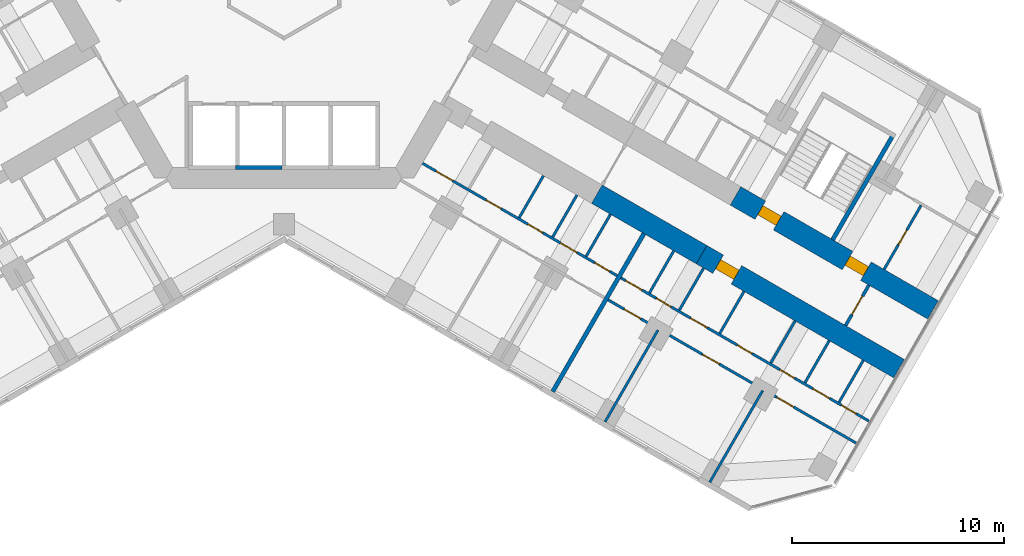
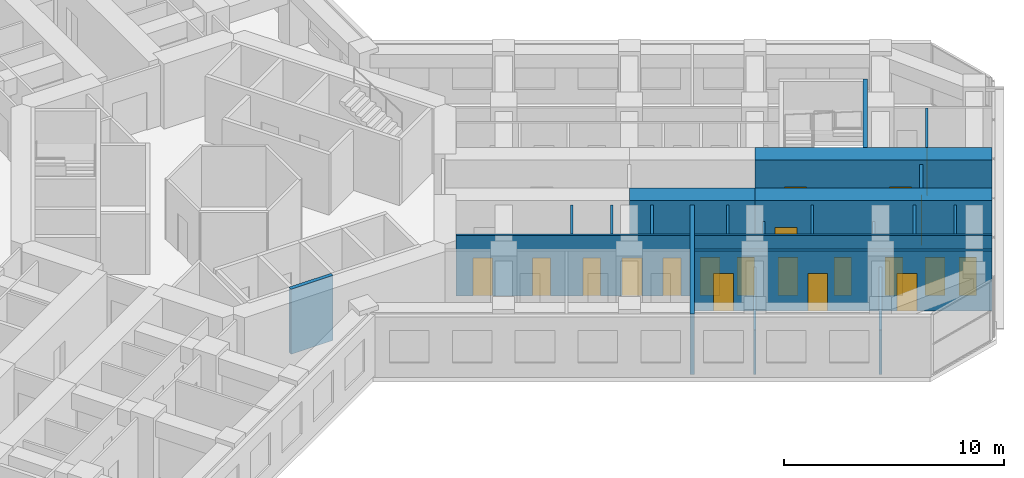
# One storey, part 14 of 21: 22 walls, 20 doors, 20 openings.
"""IFC4 building model written with IfcOpenShell, lengths in metres."""

from ifc_helpers import new_model, si_unit, direction, frame, frame_2d, origin, place, context, subcontext, project, spatial, rectangle, extrude, material, layer, layer_set, type_object, element, fill, save


model = new_model("IFC4")

# Units and contexts
model_context = context("Model", 3, precision=1e-05, world=origin(), true_north=direction((0.0, 1.0)))
body_context = subcontext(model_context, "Body", "Model", "MODEL_VIEW")
ifc_project = project(units=[si_unit("LENGTHUNIT", "METRE"), si_unit("AREAUNIT", "SQUARE_METRE"), si_unit("VOLUMEUNIT", "CUBIC_METRE"), si_unit("PLANEANGLEUNIT", "RADIAN"), si_unit("MASSUNIT", "GRAM", prefix="KILO")], contexts=[model_context])

# Site, building, storey
site_placement = place(None, origin())
site = spatial("IfcSite", under=ifc_project, at=site_placement, CompositionType="ELEMENT")
building_placement = place(site_placement, origin())
building = spatial("IfcBuilding", under=site, at=building_placement, Name="Kosmar Iwan School Tower", CompositionType="ELEMENT")
storey_placement = place(building_placement, frame((0.0, 0.0, 53.800048828125)))
storey = spatial("IfcBuildingStorey", under=building, at=storey_placement, Name="L12", CompositionType="ELEMENT", Elevation=53.800048828125)

# Wall, openings, doors
ifc_material_1 = material(Name="Concrete C50/60", Category="concrete")
ifc_layer_1 = layer(ifc_material_1, 1.0)
ifc_layer_set_1 = layer_set([ifc_layer_1], Name="Corridor buttress wall 1000")
wall_type_1 = type_object("IfcWallType", Name="Corridor buttress wall 1000", PredefinedType="SHEAR", material=ifc_layer_set_1)
wall_1_placement = place(storey_placement, frame((21.281494140625, -10.439453125, 0.0), z_axis=(0.0, 0.0, 1.0), x_axis=(0.866032345022, -0.499987977232, 0.0)))
wall_1 = element("IfcWall", 1, at=wall_1_placement, inside=storey, type_object=wall_type_1, Name="Corridor wall CL bay 3", PredefinedType="SHEAR", context=body_context, shape_type="SweptSolid", body=[
    extrude(rectangle(XDim=10.744873046875, YDim=1.0, at=frame_2d((5.37255859375, 0.0))), origin(), (0.0, 0.0, 1.0), 3.599853515625),
])
opening_1_placement = place(wall_1_placement, frame((6.10009765625, 0.0, 0.0)))
opening_1 = element("IfcOpeningElement", 2, at=opening_1_placement, cuts=wall_1, Name="Opening D1", PredefinedType="OPENING", context=body_context, shape_type="SweptSolid", body=[
    extrude(rectangle(XDim=1.0, YDim=2.10009765625, at=frame_2d((0.5, 1.050048828125))), frame((0.0, 0.511962890625, 0.0), z_axis=(0.0, -1.0, 0.0), x_axis=(1.0, 0.0, 0.0)), (0.0, 0.0, 1.0), 1.02392578125),
])
opening_2_placement = place(wall_1_placement, frame((1.35009765625, 0.0, 0.0)))
opening_2 = element("IfcOpeningElement", 3, at=opening_2_placement, cuts=wall_1, Name="Opening D6", PredefinedType="OPENING", context=body_context, shape_type="SweptSolid", body=[
    extrude(rectangle(XDim=1.0, YDim=2.10009765625, at=frame_2d((0.5, 1.050048828125))), frame((0.0, 0.511962890625, 0.0), z_axis=(0.0, -1.0, 0.0), x_axis=(1.0, 0.0, 0.0)), (0.0, 0.0, 1.0), 1.02392578125),
])
ifc_material_2 = material(Name="Timber fire door in steel frame", Category="steel")
door_type_1 = type_object("IfcDoorType", Name="Flat entrance door 1000x2100", OperationType="SINGLE_SWING_LEFT", PredefinedType="DOOR", material=ifc_material_2)
door_1_placement = place(opening_1_placement, origin())
door_1 = element("IfcDoor", 4, at=door_1_placement, inside=storey, type_object=door_type_1, Name="Flat L12-CL2 entrance door", OperationType="SINGLE_SWING_RIGHT", OverallHeight=2.10009765625, OverallWidth=1.0, PredefinedType="DOOR", context=body_context, shape_type="SweptSolid", body=[
    extrude(rectangle(XDim=1.0, YDim=2.10009765625, at=frame_2d((0.5, 1.050048828125))), frame((0.0, 0.25, 0.0), z_axis=(0.0, -1.0, 0.0), x_axis=(1.0, 0.0, 0.0)), (0.0, 0.0, 1.0), 0.5),
])
fill(opening_1, door_1)
ifc_material_3 = material(Name="Steel fire door", Category="steel")
door_type_2 = type_object("IfcDoorType", Name="Stair door 1000x2100", OperationType="SINGLE_SWING_LEFT", PredefinedType="DOOR", material=ifc_material_3)
door_2_placement = place(opening_2_placement, origin())
door_2 = element("IfcDoor", 5, at=door_2_placement, inside=storey, type_object=door_type_2, Name="Stair WS3 door L12", OperationType="SINGLE_SWING_LEFT", OverallHeight=2.10009765625, OverallWidth=1.0, PredefinedType="DOOR", context=body_context, shape_type="SweptSolid", body=[
    extrude(rectangle(XDim=1.0, YDim=2.10009765625, at=frame_2d((0.5, 1.050048828125))), frame((0.0, 0.25, 0.0), z_axis=(0.0, -1.0, 0.0), x_axis=(1.0, 0.0, 0.0)), (0.0, 0.0, 1.0), 0.5),
])
fill(opening_2, door_2)

# Wall
wall_2_placement = place(storey_placement, frame((14.7451171875, -10.360595703125, 0.0), z_axis=(0.0, 0.0, 1.0), x_axis=(0.866015111908, -0.50001782563, 0.0)))
element("IfcWall", 6, at=wall_2_placement, inside=storey, type_object=wall_type_1, Name="Corridor wall CR bay 2", PredefinedType="SHEAR", context=body_context, shape_type="SweptSolid", body=[
    extrude(rectangle(XDim=5.699951171875, YDim=1.0, at=frame_2d((2.85009765625, 0.0))), origin(), (0.0, 0.0, 1.0), 3.599853515625),
])

# Wall, opening, door
wall_3_placement = place(storey_placement, frame((19.681396484375, -13.210693359375, 0.0), z_axis=(0.0, 0.0, 1.0), x_axis=(0.866028186671, -0.499995179869, 0.0)))
wall_3 = element("IfcWall", 7, at=wall_3_placement, inside=storey, type_object=wall_type_1, Name="Corridor wall CR bay 3", PredefinedType="SHEAR", context=body_context, shape_type="SweptSolid", body=[
    extrude(rectangle(XDim=10.7451171875, YDim=1.0, at=frame_2d((5.37255859375, 0.0))), origin(), (0.0, 0.0, 1.0), 3.599853515625),
])
opening_3_placement = place(wall_3_placement, frame((0.89990234375, 0.0, 0.0)))
opening_3 = element("IfcOpeningElement", 8, at=opening_3_placement, cuts=wall_3, Name="Opening D1", PredefinedType="OPENING", context=body_context, shape_type="SweptSolid", body=[
    extrude(rectangle(XDim=1.0, YDim=2.10009765625, at=frame_2d((0.5, 1.050048828125))), frame((0.0, 0.511962890625, 0.0), z_axis=(0.0, -1.0, 0.0), x_axis=(1.0, 0.0, 0.0)), (0.0, 0.0, 1.0), 1.02392578125),
])
door_3_placement = place(opening_3_placement, origin())
door_3 = element("IfcDoor", 9, at=door_3_placement, inside=storey, type_object=door_type_1, Name="Flat L12-CR2 entrance door", OperationType="SINGLE_SWING_LEFT", OverallHeight=2.10009765625, OverallWidth=1.0, PredefinedType="DOOR", context=body_context, shape_type="SweptSolid", body=[
    extrude(rectangle(XDim=1.0, YDim=2.10009765625, at=frame_2d((0.5, 1.050048828125))), frame((0.0, 0.25, 0.0), z_axis=(0.0, -1.0, 0.0), x_axis=(1.0, 0.0, 0.0)), (0.0, 0.0, 1.0), 0.5),
])
fill(opening_3, door_3)

ifc_material_4 = material(Name="Gypsum board on steel studs, fire-rated", Category="steel")
ifc_layer_2 = layer(ifc_material_4, 0.14990234375)
ifc_layer_set_2 = layer_set([ifc_layer_2], Name="Corridor end wall 150")
wall_type_2 = type_object("IfcWallType", Name="Corridor end wall 150", PredefinedType="PARTITIONING", material=ifc_layer_set_2)
wall_4_placement = place(storey_placement, frame((26.469970703125, -16.552734375, 0.0), z_axis=(0.0, 0.0, 1.0), x_axis=(0.50002983664, 0.866008176907, 0.0)))
wall_4 = element("IfcWall", 10, at=wall_4_placement, inside=storey, type_object=wall_type_2, Name="Partition L12-C-CE", PredefinedType="PARTITIONING", context=body_context, shape_type="SweptSolid", body=[
    extrude(rectangle(XDim=2.199951171875, YDim=0.14990234375, at=frame_2d((1.10009765625, 0.0))), origin(), (0.0, 0.0, 1.0), 3.349853515625),
])
opening_4_placement = place(wall_4_placement, frame((0.60009765625, 0.0, 0.0)))
opening_4 = element("IfcOpeningElement", 11, at=opening_4_placement, cuts=wall_4, Name="Opening D13", PredefinedType="OPENING", context=body_context, shape_type="SweptSolid", body=[
    extrude(rectangle(XDim=1.0, YDim=2.10009765625, at=frame_2d((0.5, 1.050048828125))), frame((0.0, 0.0869140625, 0.0), z_axis=(0.0, -1.0, 0.0), x_axis=(1.0, 0.0, 0.0)), (0.0, 0.0, 1.0), 0.173828125),
])
ifc_material_5 = material(Name="Timber fire door with vision panel", Category="wood")
door_type_3 = type_object("IfcDoorType", Name="Corridor end door 1000x2100", OperationType="SINGLE_SWING_LEFT", PredefinedType="DOOR", material=ifc_material_5)
door_4_placement = place(opening_4_placement, origin())
door_4 = element("IfcDoor", 12, at=door_4_placement, inside=storey, type_object=door_type_3, Name="Laundry and drying room door L12-C", OperationType="SINGLE_SWING_LEFT", OverallHeight=2.10009765625, OverallWidth=1.0, PredefinedType="DOOR", context=body_context, shape_type="SweptSolid", body=[
    extrude(rectangle(XDim=1.0, YDim=2.10009765625, at=frame_2d((0.5, 1.050048828125))), frame((0.0, 0.02490234375, 0.0), z_axis=(0.0, -1.0, 0.0), x_axis=(1.0, 0.0, 0.0)), (0.0, 0.0, 1.0), 0.050048828125),
])
fill(opening_4, door_4)

ifc_material_6 = material(Name="Gypsum board on steel studs", Category="steel")
ifc_layer_3 = layer(ifc_material_6, 0.1201171875)
ifc_layer_set_3 = layer_set([ifc_layer_3], Name="Dwelling partition 120")
wall_type_3 = type_object("IfcWallType", Name="Dwelling partition 120", PredefinedType="PARTITIONING", material=ifc_layer_set_3)
wall_5_placement = place(storey_placement, frame((28.286376953125, -13.90625, 0.0), z_axis=(0.0, 0.0, 1.0), x_axis=(0.50002117804, 0.866013176292, 0.0)))
wall_5 = element("IfcWall", 13, at=wall_5_placement, inside=storey, type_object=wall_type_3, Name="Partition L12-CL2-TY", PredefinedType="PARTITIONING", context=body_context, shape_type="SweptSolid", body=[
    extrude(rectangle(XDim=3.489990234375, YDim=0.1201171875, at=frame_2d((1.7451171875, 0.0))), origin(), (0.0, 0.0, 1.0), 3.349853515625),
])
opening_5_placement = place(wall_5_placement, frame((1.344970703125, 0.0, 0.0)))
opening_5 = element("IfcOpeningElement", 14, at=opening_5_placement, cuts=wall_5, Name="Opening D3", PredefinedType="OPENING", context=body_context, shape_type="SweptSolid", body=[
    extrude(rectangle(XDim=0.800048828125, YDim=2.10009765625, at=frame_2d((0.39990234375, 1.050048828125))), frame((0.0, 0.072021484375, 0.0), z_axis=(0.0, -1.0, 0.0), x_axis=(1.0, 0.0, 0.0)), (0.0, 0.0, 1.0), 0.14404296875),
])
ifc_material_7 = material(Name="Timber door in timber frame", Category="wood")
door_type_4 = type_object("IfcDoorType", Name="Sanitary room door 800x2100", OperationType="SINGLE_SWING_LEFT", PredefinedType="DOOR", material=ifc_material_7)
door_5_placement = place(opening_5_placement, origin())
door_5 = element("IfcDoor", 15, at=door_5_placement, inside=storey, type_object=door_type_4, Name="Bathroom door L12-CL2-T4", OperationType="SINGLE_SWING_RIGHT", OverallHeight=2.10009765625, OverallWidth=0.800048828125, PredefinedType="DOOR", context=body_context, shape_type="SweptSolid", body=[
    extrude(rectangle(XDim=0.800048828125, YDim=2.10009765625, at=frame_2d((0.39990234375, 1.050048828125))), frame((0.0, 0.02490234375, 0.0), z_axis=(0.0, -1.0, 0.0), x_axis=(1.0, 0.0, 0.0)), (0.0, 0.0, 1.0), 0.050048828125),
])
fill(opening_5, door_5)

# Wall, openings, doors
wall_6_placement = place(storey_placement, frame((6.521728515625, -8.90380859375, 0.0), z_axis=(0.0, 0.0, 1.0), x_axis=(0.866024879913, -0.50000090737, 0.0)))
wall_6 = element("IfcWall", 16, at=wall_6_placement, inside=storey, type_object=wall_type_3, Name="Partition L12-CR1-W1", PredefinedType="PARTITIONING", context=body_context, shape_type="SweptSolid", body=[
    extrude(rectangle(XDim=10.60009765625, YDim=0.1201171875, at=frame_2d((5.300048828125, 0.0))), origin(), (0.0, 0.0, 1.0), 3.349853515625),
])
opening_6_placement = place(wall_6_placement, frame((0.75, 0.0, 0.0)))
opening_6 = element("IfcOpeningElement", 17, at=opening_6_placement, cuts=wall_6, Name="Opening D2", PredefinedType="OPENING", context=body_context, shape_type="SweptSolid", body=[
    extrude(rectangle(XDim=0.89990234375, YDim=2.10009765625, at=frame_2d((0.449951171875, 1.050048828125))), frame((0.0, 0.072021484375, 0.0), z_axis=(0.0, -1.0, 0.0), x_axis=(1.0, 0.0, 0.0)), (0.0, 0.0, 1.0), 0.14404296875),
])
opening_7_placement = place(wall_6_placement, frame((3.466796875, 0.0, 0.0)))
opening_7 = element("IfcOpeningElement", 18, at=opening_7_placement, cuts=wall_6, Name="Opening D3", PredefinedType="OPENING", context=body_context, shape_type="SweptSolid", body=[
    extrude(rectangle(XDim=0.800048828125, YDim=2.10009765625, at=frame_2d((0.39990234375, 1.050048828125))), frame((0.0, 0.072021484375, 0.0), z_axis=(0.0, -1.0, 0.0), x_axis=(1.0, 0.0, 0.0)), (0.0, 0.0, 1.0), 0.14404296875),
])
opening_8_placement = place(wall_6_placement, frame((5.744384765625, 0.0, 0.0)))
opening_8 = element("IfcOpeningElement", 19, at=opening_8_placement, cuts=wall_6, Name="Opening D3", PredefinedType="OPENING", context=body_context, shape_type="SweptSolid", body=[
    extrude(rectangle(XDim=0.800048828125, YDim=2.10009765625, at=frame_2d((0.39990234375, 1.050048828125))), frame((0.0, 0.072021484375, 0.0), z_axis=(0.0, -1.0, 0.0), x_axis=(1.0, 0.0, 0.0)), (0.0, 0.0, 1.0), 0.14404296875),
])
opening_9_placement = place(wall_6_placement, frame((7.5166015625, 0.0, 0.0)))
opening_9 = element("IfcOpeningElement", 20, at=opening_9_placement, cuts=wall_6, Name="Opening D2", PredefinedType="OPENING", context=body_context, shape_type="SweptSolid", body=[
    extrude(rectangle(XDim=0.89990234375, YDim=2.10009765625, at=frame_2d((0.449951171875, 1.050048828125))), frame((0.0, 0.072021484375, 0.0), z_axis=(0.0, -1.0, 0.0), x_axis=(1.0, 0.0, 0.0)), (0.0, 0.0, 1.0), 0.14404296875),
])
opening_10_placement = place(wall_6_placement, frame((9.388916015625, 0.0, 0.0)))
opening_10 = element("IfcOpeningElement", 21, at=opening_10_placement, cuts=wall_6, Name="Opening D3", PredefinedType="OPENING", context=body_context, shape_type="SweptSolid", body=[
    extrude(rectangle(XDim=0.800048828125, YDim=2.10009765625, at=frame_2d((0.39990234375, 1.050048828125))), frame((0.0, 0.072021484375, 0.0), z_axis=(0.0, -1.0, 0.0), x_axis=(1.0, 0.0, 0.0)), (0.0, 0.0, 1.0), 0.14404296875),
])
ifc_material_8 = material(Name="Timber door in timber frame", Category="wood")
door_type_5 = type_object("IfcDoorType", Name="Internal door 900x2100", OperationType="SINGLE_SWING_LEFT", PredefinedType="DOOR", material=ifc_material_8)
door_6_placement = place(opening_6_placement, origin())
door_6 = element("IfcDoor", 22, at=door_6_placement, inside=storey, type_object=door_type_5, Name="Entrance hall door L12-CR1-S1", OperationType="SINGLE_SWING_LEFT", OverallHeight=2.10009765625, OverallWidth=0.89990234375, PredefinedType="DOOR", context=body_context, shape_type="SweptSolid", body=[
    extrude(rectangle(XDim=0.89990234375, YDim=2.10009765625, at=frame_2d((0.449951171875, 1.050048828125))), frame((0.0, 0.02490234375, 0.0), z_axis=(0.0, -1.0, 0.0), x_axis=(1.0, 0.0, 0.0)), (0.0, 0.0, 1.0), 0.050048828125),
])
fill(opening_6, door_6)
door_7_placement = place(opening_9_placement, origin())
door_7 = element("IfcDoor", 23, at=door_7_placement, inside=storey, type_object=door_type_5, Name="Pantry door L12-CR1-S4", OperationType="SINGLE_SWING_RIGHT", OverallHeight=2.10009765625, OverallWidth=0.89990234375, PredefinedType="DOOR", context=body_context, shape_type="SweptSolid", body=[
    extrude(rectangle(XDim=0.89990234375, YDim=2.10009765625, at=frame_2d((0.449951171875, 1.050048828125))), frame((0.0, 0.02490234375, 0.0), z_axis=(0.0, -1.0, 0.0), x_axis=(1.0, 0.0, 0.0)), (0.0, 0.0, 1.0), 0.050048828125),
])
fill(opening_9, door_7)
door_8_placement = place(opening_7_placement, origin())
door_8 = element("IfcDoor", 24, at=door_8_placement, inside=storey, type_object=door_type_4, Name="Bathroom door L12-CR1-S2", OperationType="SINGLE_SWING_RIGHT", OverallHeight=2.10009765625, OverallWidth=0.800048828125, PredefinedType="DOOR", context=body_context, shape_type="SweptSolid", body=[
    extrude(rectangle(XDim=0.800048828125, YDim=2.10009765625, at=frame_2d((0.39990234375, 1.050048828125))), frame((0.0, 0.02490234375, 0.0), z_axis=(0.0, -1.0, 0.0), x_axis=(1.0, 0.0, 0.0)), (0.0, 0.0, 1.0), 0.050048828125),
])
fill(opening_7, door_8)
door_9_placement = place(opening_8_placement, origin())
door_9 = element("IfcDoor", 25, at=door_9_placement, inside=storey, type_object=door_type_4, Name="Shower room door L12-CR1-S3", OperationType="SINGLE_SWING_LEFT", OverallHeight=2.10009765625, OverallWidth=0.800048828125, PredefinedType="DOOR", context=body_context, shape_type="SweptSolid", body=[
    extrude(rectangle(XDim=0.800048828125, YDim=2.10009765625, at=frame_2d((0.39990234375, 1.050048828125))), frame((0.0, 0.02490234375, 0.0), z_axis=(0.0, -1.0, 0.0), x_axis=(1.0, 0.0, 0.0)), (0.0, 0.0, 1.0), 0.050048828125),
])
fill(opening_8, door_9)
door_10_placement = place(opening_10_placement, origin())
door_10 = element("IfcDoor", 26, at=door_10_placement, inside=storey, type_object=door_type_4, Name="WC door L12-CR1-S5", OperationType="SINGLE_SWING_RIGHT", OverallHeight=2.10009765625, OverallWidth=0.800048828125, PredefinedType="DOOR", context=body_context, shape_type="SweptSolid", body=[
    extrude(rectangle(XDim=0.800048828125, YDim=2.10009765625, at=frame_2d((0.39990234375, 1.050048828125))), frame((0.0, 0.02490234375, 0.0), z_axis=(0.0, -1.0, 0.0), x_axis=(1.0, 0.0, 0.0)), (0.0, 0.0, 1.0), 0.050048828125),
])
fill(opening_10, door_10)

# Walls
for number, where, z_axis, x_axis, name in (
    (27, (12.22900390625, -9.4853515625, 0.0), (0.0, 0.0, 1.0), (-0.500014693593, -0.866016920268, 0.0), "Partition L12-CR1-Y2"),
    (28, (13.80712890625, -10.396484375, 0.0), (0.0, 0.0, 1.0), (-0.500014693593, -0.866016920268, 0.0), "Partition L12-CR1-Y3"),
    (29, (15.38525390625, -11.3076171875, 0.0), (0.0, 0.0, 1.0), (-0.500014693593, -0.866016920268, 0.0), "Partition L12-CR1-Y4"),
):
    element("IfcWall", number, at=place(storey_placement, frame(where, z_axis=z_axis, x_axis=x_axis)), inside=storey, type_object=wall_type_3, Name=name, PredefinedType="PARTITIONING", context=body_context, shape_type="SweptSolid", body=[
        extrude(rectangle(XDim=2.2900390625, YDim=0.1201171875, at=frame_2d((1.14501953125, 0.0))), origin(), (0.0, 0.0, 1.0), 3.349853515625),
    ])

# Wall, openings, doors
wall_7_placement = place(storey_placement, frame((15.875, -14.3037109375, 0.0), z_axis=(0.0, 0.0, 1.0), x_axis=(0.866023503214, -0.50000329187, 0.0)))
wall_7 = element("IfcWall", 30, at=wall_7_placement, inside=storey, type_object=wall_type_3, Name="Partition L12-CR2-W1", PredefinedType="PARTITIONING", context=body_context, shape_type="SweptSolid", body=[
    extrude(rectangle(XDim=13.4951171875, YDim=0.1201171875, at=frame_2d((6.74755859375, 0.0))), origin(), (0.0, 0.0, 1.0), 3.349853515625),
])
opening_11_placement = place(wall_7_placement, frame((0.262451171875, 0.0, 0.0)))
opening_11 = element("IfcOpeningElement", 31, at=opening_11_placement, cuts=wall_7, Name="Opening D2", PredefinedType="OPENING", context=body_context, shape_type="SweptSolid", body=[
    extrude(rectangle(XDim=0.89990234375, YDim=2.10009765625, at=frame_2d((0.449951171875, 1.050048828125))), frame((0.0, 0.072021484375, 0.0), z_axis=(0.0, -1.0, 0.0), x_axis=(1.0, 0.0, 0.0)), (0.0, 0.0, 1.0), 0.14404296875),
])
opening_12_placement = place(wall_7_placement, frame((1.9375, 0.0, 0.0)))
opening_12 = element("IfcOpeningElement", 32, at=opening_12_placement, cuts=wall_7, Name="Opening D3", PredefinedType="OPENING", context=body_context, shape_type="SweptSolid", body=[
    extrude(rectangle(XDim=0.800048828125, YDim=2.10009765625, at=frame_2d((0.39990234375, 1.050048828125))), frame((0.0, 0.072021484375, 0.0), z_axis=(0.0, -1.0, 0.0), x_axis=(1.0, 0.0, 0.0)), (0.0, 0.0, 1.0), 0.14404296875),
])
opening_13_placement = place(wall_7_placement, frame((3.800048828125, 0.0, 0.0)))
opening_13 = element("IfcOpeningElement", 33, at=opening_13_placement, cuts=wall_7, Name="Opening D2", PredefinedType="OPENING", context=body_context, shape_type="SweptSolid", body=[
    extrude(rectangle(XDim=0.89990234375, YDim=2.10009765625, at=frame_2d((0.449951171875, 1.050048828125))), frame((0.0, 0.072021484375, 0.0), z_axis=(0.0, -1.0, 0.0), x_axis=(1.0, 0.0, 0.0)), (0.0, 0.0, 1.0), 0.14404296875),
])
opening_14_placement = place(wall_7_placement, frame((6.341796875, 0.0, 0.0)))
opening_14 = element("IfcOpeningElement", 34, at=opening_14_placement, cuts=wall_7, Name="Opening D3", PredefinedType="OPENING", context=body_context, shape_type="SweptSolid", body=[
    extrude(rectangle(XDim=0.800048828125, YDim=2.10009765625, at=frame_2d((0.39990234375, 1.050048828125))), frame((0.0, 0.072021484375, 0.0), z_axis=(0.0, -1.0, 0.0), x_axis=(1.0, 0.0, 0.0)), (0.0, 0.0, 1.0), 0.14404296875),
])
opening_15_placement = place(wall_7_placement, frame((8.6611328125, 0.0, 0.0)))
opening_15 = element("IfcOpeningElement", 35, at=opening_15_placement, cuts=wall_7, Name="Opening D3", PredefinedType="OPENING", context=body_context, shape_type="SweptSolid", body=[
    extrude(rectangle(XDim=0.800048828125, YDim=2.10009765625, at=frame_2d((0.39990234375, 1.050048828125))), frame((0.0, 0.072021484375, 0.0), z_axis=(0.0, -1.0, 0.0), x_axis=(1.0, 0.0, 0.0)), (0.0, 0.0, 1.0), 0.14404296875),
])
opening_16_placement = place(wall_7_placement, frame((10.466796875, 0.0, 0.0)))
opening_16 = element("IfcOpeningElement", 36, at=opening_16_placement, cuts=wall_7, Name="Opening D2", PredefinedType="OPENING", context=body_context, shape_type="SweptSolid", body=[
    extrude(rectangle(XDim=0.89990234375, YDim=2.10009765625, at=frame_2d((0.449951171875, 1.050048828125))), frame((0.0, 0.072021484375, 0.0), z_axis=(0.0, -1.0, 0.0), x_axis=(1.0, 0.0, 0.0)), (0.0, 0.0, 1.0), 0.14404296875),
])
opening_17_placement = place(wall_7_placement, frame((12.00439453125, 0.0, 0.0)))
opening_17 = element("IfcOpeningElement", 37, at=opening_17_placement, cuts=wall_7, Name="Opening D3", PredefinedType="OPENING", context=body_context, shape_type="SweptSolid", body=[
    extrude(rectangle(XDim=0.800048828125, YDim=2.10009765625, at=frame_2d((0.39990234375, 1.050048828125))), frame((0.0, 0.072021484375, 0.0), z_axis=(0.0, -1.0, 0.0), x_axis=(1.0, 0.0, 0.0)), (0.0, 0.0, 1.0), 0.14404296875),
])
door_11_placement = place(opening_11_placement, origin())
door_11 = element("IfcDoor", 38, at=door_11_placement, inside=storey, type_object=door_type_5, Name="Utility room door L12-CR2-S1", OperationType="SINGLE_SWING_LEFT", OverallHeight=2.10009765625, OverallWidth=0.89990234375, PredefinedType="DOOR", context=body_context, shape_type="SweptSolid", body=[
    extrude(rectangle(XDim=0.89990234375, YDim=2.10009765625, at=frame_2d((0.449951171875, 1.050048828125))), frame((0.0, 0.02490234375, 0.0), z_axis=(0.0, -1.0, 0.0), x_axis=(1.0, 0.0, 0.0)), (0.0, 0.0, 1.0), 0.050048828125),
])
fill(opening_11, door_11)
door_12_placement = place(opening_13_placement, origin())
door_12 = element("IfcDoor", 39, at=door_12_placement, inside=storey, type_object=door_type_5, Name="Entrance hall door L12-CR2-S3", OperationType="SINGLE_SWING_LEFT", OverallHeight=2.10009765625, OverallWidth=0.89990234375, PredefinedType="DOOR", context=body_context, shape_type="SweptSolid", body=[
    extrude(rectangle(XDim=0.89990234375, YDim=2.10009765625, at=frame_2d((0.449951171875, 1.050048828125))), frame((0.0, 0.02490234375, 0.0), z_axis=(0.0, -1.0, 0.0), x_axis=(1.0, 0.0, 0.0)), (0.0, 0.0, 1.0), 0.050048828125),
])
fill(opening_13, door_12)
door_13_placement = place(opening_16_placement, origin())
door_13 = element("IfcDoor", 40, at=door_13_placement, inside=storey, type_object=door_type_5, Name="Pantry door L12-CR2-S6", OperationType="SINGLE_SWING_RIGHT", OverallHeight=2.10009765625, OverallWidth=0.89990234375, PredefinedType="DOOR", context=body_context, shape_type="SweptSolid", body=[
    extrude(rectangle(XDim=0.89990234375, YDim=2.10009765625, at=frame_2d((0.449951171875, 1.050048828125))), frame((0.0, 0.02490234375, 0.0), z_axis=(0.0, -1.0, 0.0), x_axis=(1.0, 0.0, 0.0)), (0.0, 0.0, 1.0), 0.050048828125),
])
fill(opening_16, door_13)
door_14_placement = place(opening_12_placement, origin())
door_14 = element("IfcDoor", 41, at=door_14_placement, inside=storey, type_object=door_type_4, Name="WC door L12-CR2-S2", OperationType="SINGLE_SWING_RIGHT", OverallHeight=2.10009765625, OverallWidth=0.800048828125, PredefinedType="DOOR", context=body_context, shape_type="SweptSolid", body=[
    extrude(rectangle(XDim=0.800048828125, YDim=2.10009765625, at=frame_2d((0.39990234375, 1.050048828125))), frame((0.0, 0.02490234375, 0.0), z_axis=(0.0, -1.0, 0.0), x_axis=(1.0, 0.0, 0.0)), (0.0, 0.0, 1.0), 0.050048828125),
])
fill(opening_12, door_14)
door_15_placement = place(opening_14_placement, origin())
door_15 = element("IfcDoor", 42, at=door_15_placement, inside=storey, type_object=door_type_4, Name="Bathroom door L12-CR2-S4", OperationType="SINGLE_SWING_RIGHT", OverallHeight=2.10009765625, OverallWidth=0.800048828125, PredefinedType="DOOR", context=body_context, shape_type="SweptSolid", body=[
    extrude(rectangle(XDim=0.800048828125, YDim=2.10009765625, at=frame_2d((0.39990234375, 1.050048828125))), frame((0.0, 0.02490234375, 0.0), z_axis=(0.0, -1.0, 0.0), x_axis=(1.0, 0.0, 0.0)), (0.0, 0.0, 1.0), 0.050048828125),
])
fill(opening_14, door_15)
door_16_placement = place(opening_15_placement, origin())
door_16 = element("IfcDoor", 43, at=door_16_placement, inside=storey, type_object=door_type_4, Name="Shower room door L12-CR2-S5", OperationType="SINGLE_SWING_LEFT", OverallHeight=2.10009765625, OverallWidth=0.800048828125, PredefinedType="DOOR", context=body_context, shape_type="SweptSolid", body=[
    extrude(rectangle(XDim=0.800048828125, YDim=2.10009765625, at=frame_2d((0.39990234375, 1.050048828125))), frame((0.0, 0.02490234375, 0.0), z_axis=(0.0, -1.0, 0.0), x_axis=(1.0, 0.0, 0.0)), (0.0, 0.0, 1.0), 0.050048828125),
])
fill(opening_15, door_16)
door_17_placement = place(opening_17_placement, origin())
door_17 = element("IfcDoor", 44, at=door_17_placement, inside=storey, type_object=door_type_4, Name="Store door L12-CR2-S7", OperationType="SINGLE_SWING_LEFT", OverallHeight=2.10009765625, OverallWidth=0.800048828125, PredefinedType="DOOR", context=body_context, shape_type="SweptSolid", body=[
    extrude(rectangle(XDim=0.800048828125, YDim=2.10009765625, at=frame_2d((0.39990234375, 1.050048828125))), frame((0.0, 0.02490234375, 0.0), z_axis=(0.0, -1.0, 0.0), x_axis=(1.0, 0.0, 0.0)), (0.0, 0.0, 1.0), 0.050048828125),
])
fill(opening_17, door_17)

wall_8_placement = place(storey_placement, frame((15.27490234375, -15.343017578125, 0.0), z_axis=(0.0, 0.0, 1.0), x_axis=(0.866023503214, -0.50000329187, 0.0)))
wall_8 = element("IfcWall", 45, at=wall_8_placement, inside=storey, type_object=wall_type_3, Name="Partition L12-CR2-W2", PredefinedType="PARTITIONING", context=body_context, shape_type="SweptSolid", body=[
    extrude(rectangle(XDim=13.4951171875, YDim=0.1201171875, at=frame_2d((6.74755859375, 0.0))), origin(), (0.0, 0.0, 1.0), 3.349853515625),
])
opening_18_placement = place(wall_8_placement, frame((0.875, 0.0, 0.0)))
opening_18 = element("IfcOpeningElement", 46, at=opening_18_placement, cuts=wall_8, Name="Opening D2", PredefinedType="OPENING", context=body_context, shape_type="SweptSolid", body=[
    extrude(rectangle(XDim=0.89990234375, YDim=2.10009765625, at=frame_2d((0.449951171875, 1.050048828125))), frame((0.0, 0.072021484375, 0.0), z_axis=(0.0, -1.0, 0.0), x_axis=(1.0, 0.0, 0.0)), (0.0, 0.0, 1.0), 0.14404296875),
])
opening_19_placement = place(wall_8_placement, frame((5.14990234375, 0.0, 0.0)))
opening_19 = element("IfcOpeningElement", 47, at=opening_19_placement, cuts=wall_8, Name="Opening D2", PredefinedType="OPENING", context=body_context, shape_type="SweptSolid", body=[
    extrude(rectangle(XDim=0.89990234375, YDim=2.10009765625, at=frame_2d((0.449951171875, 1.050048828125))), frame((0.0, 0.072021484375, 0.0), z_axis=(0.0, -1.0, 0.0), x_axis=(1.0, 0.0, 0.0)), (0.0, 0.0, 1.0), 0.14404296875),
])
opening_20_placement = place(wall_8_placement, frame((9.199951171875, 0.0, 0.0)))
opening_20 = element("IfcOpeningElement", 48, at=opening_20_placement, cuts=wall_8, Name="Opening D2", PredefinedType="OPENING", context=body_context, shape_type="SweptSolid", body=[
    extrude(rectangle(XDim=0.89990234375, YDim=2.10009765625, at=frame_2d((0.449951171875, 1.050048828125))), frame((0.0, 0.072021484375, 0.0), z_axis=(0.0, -1.0, 0.0), x_axis=(1.0, 0.0, 0.0)), (0.0, 0.0, 1.0), 0.14404296875),
])
door_18_placement = place(opening_18_placement, origin())
door_18 = element("IfcDoor", 49, at=door_18_placement, inside=storey, type_object=door_type_5, Name="Bedroom 1 door L12-CR2-F1", OperationType="SINGLE_SWING_LEFT", OverallHeight=2.10009765625, OverallWidth=0.89990234375, PredefinedType="DOOR", context=body_context, shape_type="SweptSolid", body=[
    extrude(rectangle(XDim=0.89990234375, YDim=2.10009765625, at=frame_2d((0.449951171875, 1.050048828125))), frame((0.0, 0.02490234375, 0.0), z_axis=(0.0, -1.0, 0.0), x_axis=(1.0, 0.0, 0.0)), (0.0, 0.0, 1.0), 0.050048828125),
])
fill(opening_18, door_18)
door_19_placement = place(opening_19_placement, origin())
door_19 = element("IfcDoor", 50, at=door_19_placement, inside=storey, type_object=door_type_5, Name="Living room and kitchen door L12-CR2-F2", OperationType="SINGLE_SWING_LEFT", OverallHeight=2.10009765625, OverallWidth=0.89990234375, PredefinedType="DOOR", context=body_context, shape_type="SweptSolid", body=[
    extrude(rectangle(XDim=0.89990234375, YDim=2.10009765625, at=frame_2d((0.449951171875, 1.050048828125))), frame((0.0, 0.02490234375, 0.0), z_axis=(0.0, -1.0, 0.0), x_axis=(1.0, 0.0, 0.0)), (0.0, 0.0, 1.0), 0.050048828125),
])
fill(opening_19, door_19)
door_20_placement = place(opening_20_placement, origin())
door_20 = element("IfcDoor", 51, at=door_20_placement, inside=storey, type_object=door_type_5, Name="Bedroom 2 door L12-CR2-F3", OperationType="SINGLE_SWING_RIGHT", OverallHeight=2.10009765625, OverallWidth=0.89990234375, PredefinedType="DOOR", context=body_context, shape_type="SweptSolid", body=[
    extrude(rectangle(XDim=0.89990234375, YDim=2.10009765625, at=frame_2d((0.449951171875, 1.050048828125))), frame((0.0, 0.02490234375, 0.0), z_axis=(0.0, -1.0, 0.0), x_axis=(1.0, 0.0, 0.0)), (0.0, 0.0, 1.0), 0.050048828125),
])
fill(opening_20, door_20)

# Walls
wall_9_placement = place(storey_placement, frame((17.62646484375, -16.77001953125, 0.0), z_axis=(0.0, 0.0, 1.0), x_axis=(-0.499975153383, -0.86603974851, 0.0)))
element("IfcWall", 52, at=wall_9_placement, inside=storey, type_object=wall_type_3, Name="Partition L12-CR2-X1", PredefinedType="PARTITIONING", context=body_context, shape_type="SweptSolid", body=[
    extrude(rectangle(XDim=4.989990234375, YDim=0.1201171875, at=frame_2d((2.4951171875, 0.0))), origin(), (0.0, 0.0, 1.0), 2.449951171875),
])
wall_10_placement = place(storey_placement, frame((22.562744140625, -19.6201171875, 0.0), z_axis=(0.0, 0.0, 1.0), x_axis=(-0.499996339024, -0.86602751744, 0.0)))
element("IfcWall", 53, at=wall_10_placement, inside=storey, type_object=wall_type_3, Name="Partition L12-CR2-X2", PredefinedType="PARTITIONING", context=body_context, shape_type="SweptSolid", body=[
    extrude(rectangle(XDim=4.98974609375, YDim=0.1201171875, at=frame_2d((2.494873046875, 0.0))), origin(), (0.0, 0.0, 1.0), 2.449951171875),
])
wall_11_placement = place(storey_placement, frame((18.37060546875, -13.03125, 0.0), z_axis=(0.0, 0.0, 1.0), x_axis=(-0.500014693593, -0.866016920268, 0.0)))
element("IfcWall", 54, at=wall_11_placement, inside=storey, type_object=wall_type_3, Name="Partition L12-CR2-Y1", PredefinedType="PARTITIONING", context=body_context, shape_type="SweptSolid", body=[
    extrude(rectangle(XDim=2.2900390625, YDim=0.1201171875, at=frame_2d((1.14501953125, 0.0))), origin(), (0.0, 0.0, 1.0), 3.349853515625),
])
wall_12_placement = place(storey_placement, frame((19.77783203125, -13.84375, 0.0), z_axis=(0.0, 0.0, 1.0), x_axis=(-0.500014693593, -0.866016920268, 0.0)))
element("IfcWall", 55, at=wall_12_placement, inside=storey, type_object=wall_type_3, Name="Partition L12-CR2-Y2", PredefinedType="PARTITIONING", context=body_context, shape_type="SweptSolid", body=[
    extrude(rectangle(XDim=2.2900390625, YDim=0.1201171875, at=frame_2d((1.14501953125, 0.0))), origin(), (0.0, 0.0, 1.0), 2.449951171875),
])
wall_13_placement = place(storey_placement, frame((21.68310546875, -14.943603515625, 0.0), z_axis=(0.0, 0.0, 1.0), x_axis=(-0.500014693593, -0.866016920268, 0.0)))
element("IfcWall", 56, at=wall_13_placement, inside=storey, type_object=wall_type_3, Name="Partition L12-CR2-Y3", PredefinedType="PARTITIONING", context=body_context, shape_type="SweptSolid", body=[
    extrude(rectangle(XDim=2.2900390625, YDim=0.1201171875, at=frame_2d((1.14501953125, 0.0))), origin(), (0.0, 0.0, 1.0), 3.349853515625),
])
wall_14_placement = place(storey_placement, frame((24.093505859375, -16.335205078125, 0.0), z_axis=(0.0, 0.0, 1.0), x_axis=(-0.499968531483, -0.866043571379, 0.0)))
element("IfcWall", 57, at=wall_14_placement, inside=storey, type_object=wall_type_3, Name="Partition L12-CR2-Y4", PredefinedType="PARTITIONING", context=body_context, shape_type="SweptSolid", body=[
    extrude(rectangle(XDim=2.290283203125, YDim=0.1201171875, at=frame_2d((1.14501953125, 0.0))), origin(), (0.0, 0.0, 1.0), 2.449951171875),
])
for number, where, z_axis, x_axis, name in (
    (58, (25.70068359375, -17.26318359375, 0.0), (0.0, 0.0, 1.0), (-0.500014693593, -0.866016920268, 0.0), "Partition L12-CR2-Y5"),
    (59, (27.3076171875, -18.19091796875, 0.0), (0.0, 0.0, 1.0), (-0.500014693593, -0.866016920268, 0.0), "Partition L12-CR2-Y6"),
):
    element("IfcWall", number, at=place(storey_placement, frame(where, z_axis=z_axis, x_axis=x_axis)), inside=storey, type_object=wall_type_3, Name=name, PredefinedType="PARTITIONING", context=body_context, shape_type="SweptSolid", body=[
        extrude(rectangle(XDim=2.2900390625, YDim=0.1201171875, at=frame_2d((1.14501953125, 0.0))), origin(), (0.0, 0.0, 1.0), 3.349853515625),
    ])
ifc_material_9 = material(Name="Concrete C35/45", Category="concrete")
ifc_layer_4 = layer(ifc_material_9, 0.199951171875)
ifc_layer_set_4 = layer_set([ifc_layer_4], Name="Escape stair wall 200")
wall_type_4 = type_object("IfcWallType", Name="Escape stair wall 200", PredefinedType="SHEAR", material=ifc_layer_set_4)
wall_15_placement = place(storey_placement, frame((25.861572265625, -12.50634765625, 0.0), z_axis=(0.0, 0.0, 1.0), x_axis=(0.500018801468, 0.86601454848, 0.0)))
element("IfcWall", 60, at=wall_15_placement, inside=storey, type_object=wall_type_4, Name="Stair WS3 wall", PredefinedType="SHEAR", context=body_context, shape_type="SweptSolid", body=[
    extrude(rectangle(XDim=5.800048828125, YDim=0.199951171875, at=frame_2d((2.89990234375, 0.0))), origin(), (0.0, 0.0, 1.0), 3.329833984375),
])
ifc_material_10 = material(Name="Concrete C50/60", Category="concrete")
ifc_layer_5 = layer(ifc_material_10, 0.199951171875)
ifc_layer_set_5 = layer_set([ifc_layer_5], Name="Lift shaft wall 200")
wall_type_5 = type_object("IfcWallType", Name="Lift shaft wall 200", PredefinedType="SHEAR", material=ifc_layer_set_5)
wall_16_placement = place(storey_placement, frame((-2.300048828125, -9.10009765625, 0.0), z_axis=(0.0, 0.0, 1.0), x_axis=(1.0, 0.0, 0.0)))
element("IfcWall", 61, at=wall_16_placement, inside=storey, type_object=wall_type_5, Name="Lift and stair back wall BC", PredefinedType="SHEAR", context=body_context, shape_type="SweptSolid", body=[
    extrude(rectangle(XDim=2.199951171875, YDim=0.199951171875, at=frame_2d((1.10009765625, 0.0))), origin(), (0.0, 0.0, 1.0), 3.599853515625),
])
ifc_material_11 = material(Name="Concrete block masonry", Category="masonry")
ifc_layer_6 = layer(ifc_material_11, 0.199951171875)
ifc_layer_set_6 = layer_set([ifc_layer_6], Name="Party wall 200")
wall_type_6 = type_object("IfcWallType", Name="Party wall 200", PredefinedType="PARTITIONING", material=ifc_layer_set_6)
wall_17_placement = place(storey_placement, frame((16.96337890625, -12.21875, 0.0), z_axis=(0.0, 0.0, 1.0), x_axis=(-0.500007509209, -0.866021068297, 0.0)))
element("IfcWall", 62, at=wall_17_placement, inside=storey, type_object=wall_type_6, Name="Partition L12-CR2-PW", PredefinedType="PARTITIONING", context=body_context, shape_type="SweptSolid", body=[
    extrude(rectangle(XDim=8.599853515625, YDim=0.199951171875, at=frame_2d((4.2998046875, 0.0))), origin(), (0.0, 0.0, 1.0), 3.349853515625),
])

save(model, "model.ifc")
